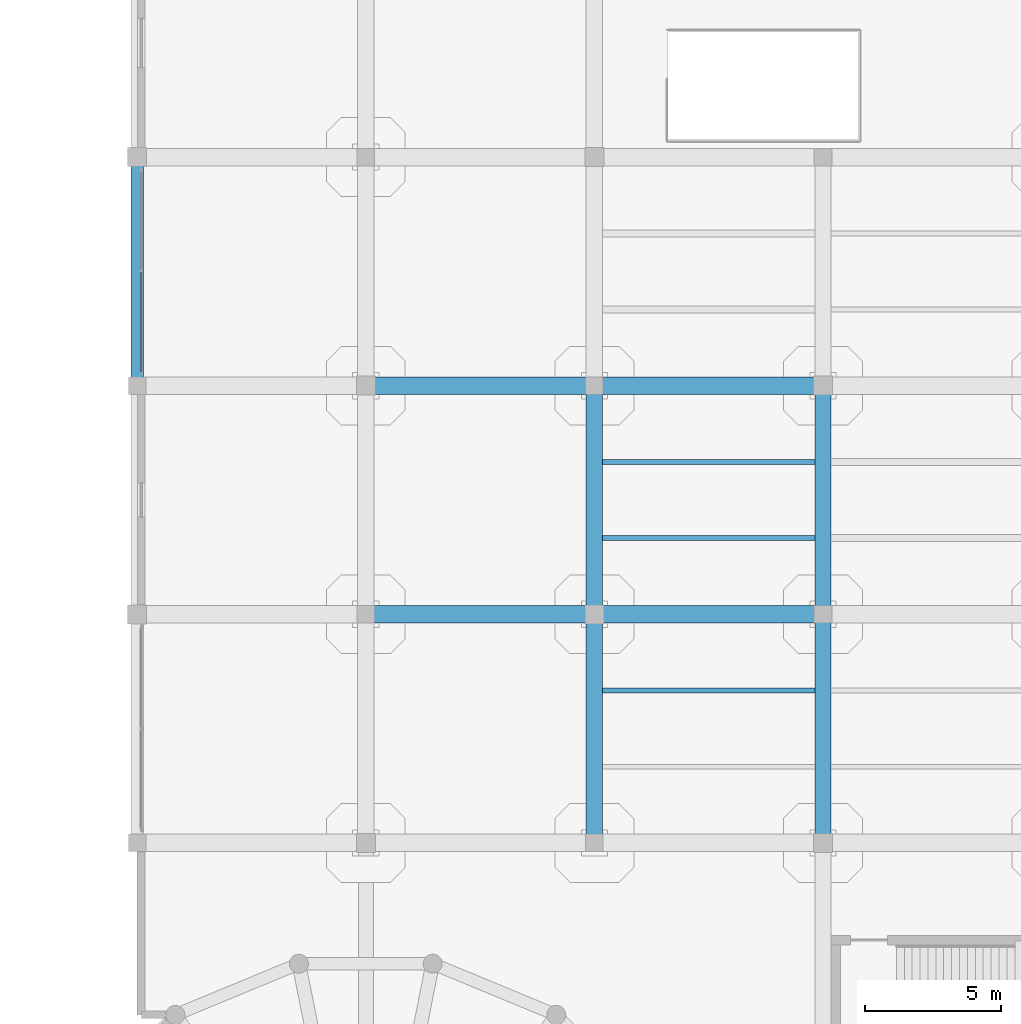
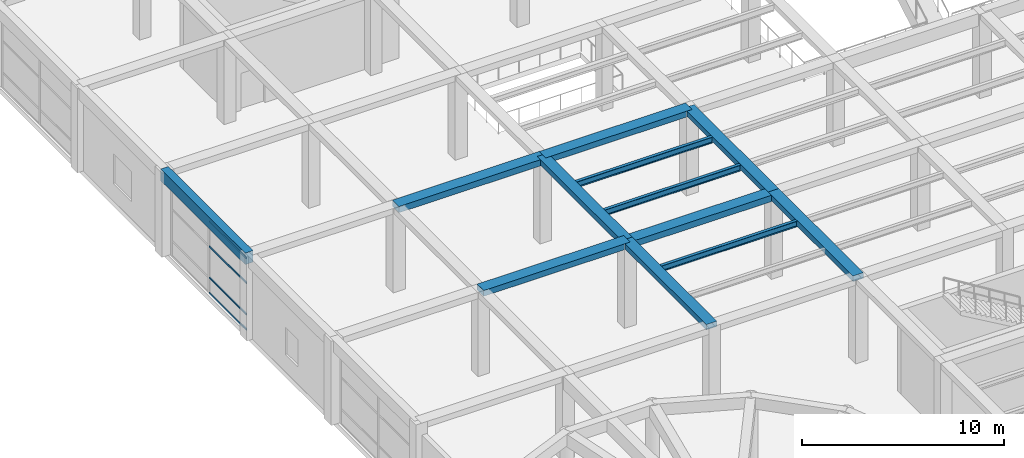
# One storey, part 7 of 65: 12 beams, 4 members, 1 element without a shape of its own.
"""IFC4 building model written with IfcOpenShell, lengths in metres."""

from ifc_helpers import new_model, si_unit, direction, frame, origin, origin_2d, place, context, subcontext, project, spatial, rectangle, hollow_rectangle, i_section, extrude, material, material_profile, profile_set, type_object, element, aggregate, save


model = new_model("IFC4")

# Units and contexts
model_context = context("Model", 3, precision=1e-05, world=origin(), true_north=direction((0.0, 1.0)))
body_context = subcontext(model_context, "Body", "Model", "MODEL_VIEW")
ifc_project = project(units=[si_unit("LENGTHUNIT", "METRE"), si_unit("AREAUNIT", "SQUARE_METRE"), si_unit("VOLUMEUNIT", "CUBIC_METRE"), si_unit("PLANEANGLEUNIT", "RADIAN"), si_unit("MASSUNIT", "GRAM", prefix="KILO")], contexts=[model_context])

# Site, building, storey
site_placement = place(None, origin())
site = spatial("IfcSite", under=ifc_project, at=site_placement, CompositionType="ELEMENT")
building_placement = place(site_placement, origin())
building = spatial("IfcBuilding", under=site, at=building_placement, Name="Almacenes y Pasaje Nevantli", CompositionType="ELEMENT")
storey_placement = place(building_placement, frame((0.0, 0.0, 16.800048828125)))
storey = spatial("IfcBuildingStorey", under=building, at=storey_placement, Name="L04", CompositionType="ELEMENT", Elevation=16.800048828125)

# Beams
ifc_material_1 = material(Name="Concrete C35/45", Category="concrete")
ifc_material_profile_1 = material_profile(ifc_material_1, rectangle(XDim=0.449951171875, YDim=0.699951171875, at=origin_2d()), Name="RC-BM-450x700")
ifc_profile_set_1 = profile_set([ifc_material_profile_1], Name="Concrete C35/45")
beam_type_1 = type_object("IfcBeamType", Name="BM-RC-450x700", PredefinedType="SPANDREL", material=ifc_profile_set_1)
beam_1_placement = place(storey_placement, frame((0.0, 42.0, 4.75), z_axis=(0.0, 1.0, 0.0), x_axis=(-1.0, 0.0, 0.0)))
element("IfcBeam", 1, at=beam_1_placement, inside=storey, type_object=beam_type_1, Name="L04 North-South Reinforced Concrete Beam #2995", PredefinedType="SPANDREL", context=body_context, shape_type="SweptSolid", body=[
    extrude(rectangle(XDim=0.449951171875, YDim=0.699951171875, at=origin_2d()), origin(), (0.0, 0.0, 1.0), 8.39990234375),
])
ifc_material_2 = material(Name="Concrete C35/45", Category="concrete")
ifc_material_profile_2 = material_profile(ifc_material_2, rectangle(XDim=0.60009765625, YDim=0.320068359375, at=origin_2d()), Name="RC-BM-600x320")
ifc_profile_set_2 = profile_set([ifc_material_profile_2], Name="Concrete C35/45")
beam_type_2 = type_object("IfcBeamType", Name="BM-RC-600x320", PredefinedType="BEAM", material=ifc_profile_set_2)
beam_2_placement = place(storey_placement, frame((16.800048828125, 25.199951171875, 4.93994140625), z_axis=(0.0, 1.0, 0.0), x_axis=(-1.0, 0.0, 0.0)))
element("IfcBeam", 2, at=beam_2_placement, inside=storey, type_object=beam_type_2, Name="L04 North-South Reinforced Concrete Beam #3015", PredefinedType="BEAM", context=body_context, shape_type="SweptSolid", body=[
    extrude(rectangle(XDim=0.60009765625, YDim=0.320068359375, at=origin_2d()), origin(), (0.0, 0.0, 1.0), 8.400146484375),
])
beam_3_placement = place(storey_placement, frame((25.199951171875, 33.60009765625, 4.93994140625), z_axis=(0.0, 1.0, 0.0), x_axis=(-1.0, 0.0, 0.0)))
element("IfcBeam", 3, at=beam_3_placement, inside=storey, type_object=beam_type_2, Name="L04 North-South Reinforced Concrete Beam #3028", PredefinedType="BEAM", context=body_context, shape_type="SweptSolid", body=[
    extrude(rectangle(XDim=0.60009765625, YDim=0.320068359375, at=origin_2d()), origin(), (0.0, 0.0, 1.0), 8.39990234375),
])
ifc_material_3 = material(Name="Concrete C35/45", Category="concrete")
ifc_material_profile_3 = material_profile(ifc_material_3, rectangle(XDim=0.60009765625, YDim=0.340087890625, at=origin_2d()), Name="RC-BM-600x340")
ifc_profile_set_3 = profile_set([ifc_material_profile_3], Name="Concrete C35/45")
beam_type_3 = type_object("IfcBeamType", Name="BM-RC-600x340", PredefinedType="BEAM", material=ifc_profile_set_3)
beam_4_placement = place(storey_placement, frame((16.800048828125, 33.60009765625, 4.929931640625), z_axis=(0.0, 1.0, 0.0), x_axis=(-1.0, 0.0, 0.0)))
element("IfcBeam", 4, at=beam_4_placement, inside=storey, type_object=beam_type_3, Name="L04 North-South Reinforced Concrete Beam #3016", PredefinedType="BEAM", context=body_context, shape_type="SweptSolid", body=[
    extrude(rectangle(XDim=0.60009765625, YDim=0.340087890625, at=origin_2d()), origin(), (0.0, 0.0, 1.0), 8.39990234375),
])
beam_5_placement = place(storey_placement, frame((25.199951171875, 25.199951171875, 4.929931640625), z_axis=(0.0, 1.0, 0.0), x_axis=(-1.0, 0.0, 0.0)))
element("IfcBeam", 5, at=beam_5_placement, inside=storey, type_object=beam_type_3, Name="L04 North-South Reinforced Concrete Beam #3027", PredefinedType="BEAM", context=body_context, shape_type="SweptSolid", body=[
    extrude(rectangle(XDim=0.60009765625, YDim=0.340087890625, at=origin_2d()), origin(), (0.0, 0.0, 1.0), 8.400146484375),
])
ifc_material_4 = material(Name="Concrete C35/45", Category="concrete")
ifc_material_profile_4 = material_profile(ifc_material_4, rectangle(XDim=0.64990234375, YDim=0.35009765625, at=origin_2d()), Name="RC-BM-650x350")
ifc_profile_set_4 = profile_set([ifc_material_profile_4], Name="Concrete C35/45")
beam_type_4 = type_object("IfcBeamType", Name="BM-RC-650x350", PredefinedType="BEAM", material=ifc_profile_set_4)
beam_6_placement = place(storey_placement, frame((8.39990234375, 33.60009765625, 4.925048828125), z_axis=(1.0, 0.0, 0.0), x_axis=(0.0, 1.0, 0.0)))
element("IfcBeam", 6, at=beam_6_placement, inside=storey, type_object=beam_type_4, Name="L04 East-West Reinforced Concrete Beam #2813", PredefinedType="BEAM", context=body_context, shape_type="SweptSolid", body=[
    extrude(rectangle(XDim=0.64990234375, YDim=0.35009765625, at=origin_2d()), origin(), (0.0, 0.0, 1.0), 8.400146484375),
])
beam_7_placement = place(storey_placement, frame((16.800048828125, 42.0, 4.925048828125), z_axis=(1.0, 0.0, 0.0), x_axis=(0.0, 1.0, 0.0)))
element("IfcBeam", 7, at=beam_7_placement, inside=storey, type_object=beam_type_4, Name="L04 East-West Reinforced Concrete Beam #2831", PredefinedType="BEAM", context=body_context, shape_type="SweptSolid", body=[
    extrude(rectangle(XDim=0.64990234375, YDim=0.35009765625, at=origin_2d()), origin(), (0.0, 0.0, 1.0), 8.39990234375),
])
ifc_material_5 = material(Name="Concrete C35/45", Category="concrete")
ifc_material_profile_5 = material_profile(ifc_material_5, rectangle(XDim=0.64990234375, YDim=0.3798828125, at=origin_2d()), Name="RC-BM-650x380")
ifc_profile_set_5 = profile_set([ifc_material_profile_5], Name="Concrete C35/45")
beam_type_5 = type_object("IfcBeamType", Name="BM-RC-650x380", PredefinedType="BEAM", material=ifc_profile_set_5)
beam_8_placement = place(storey_placement, frame((16.800048828125, 33.60009765625, 4.909912109375), z_axis=(1.0, 0.0, 0.0), x_axis=(0.0, 1.0, 0.0)))
element("IfcBeam", 8, at=beam_8_placement, inside=storey, type_object=beam_type_5, Name="L04 East-West Reinforced Concrete Beam #2814", PredefinedType="BEAM", context=body_context, shape_type="SweptSolid", body=[
    extrude(rectangle(XDim=0.64990234375, YDim=0.3798828125, at=origin_2d()), origin(), (0.0, 0.0, 1.0), 8.39990234375),
])
beam_9_placement = place(storey_placement, frame((8.39990234375, 42.0, 4.909912109375), z_axis=(1.0, 0.0, 0.0), x_axis=(0.0, 1.0, 0.0)))
element("IfcBeam", 9, at=beam_9_placement, inside=storey, type_object=beam_type_5, Name="L04 East-West Reinforced Concrete Beam #2830", PredefinedType="BEAM", context=body_context, shape_type="SweptSolid", body=[
    extrude(rectangle(XDim=0.64990234375, YDim=0.3798828125, at=origin_2d()), origin(), (0.0, 0.0, 1.0), 8.400146484375),
])
ifc_material_6 = material(Name="Steel ASTM A992", Category="steel")
ifc_material_profile_6 = material_profile(ifc_material_6, i_section(OverallWidth=0.173095703125, OverallDepth=0.35302734375, WebThickness=0.0078125, FlangeThickness=0.01318359375, at=origin_2d()), Name="IR 356x56.6")
ifc_profile_set_6 = profile_set([ifc_material_profile_6], Name="Steel ASTM A992")
beam_type_6 = type_object("IfcBeamType", Name="BM-STL-IR-356x56p6", PredefinedType="JOIST", material=ifc_profile_set_6)
beam_10_placement = place(storey_placement, frame((17.10009765625, 30.800048828125, 4.91552734375), z_axis=(1.0, 0.0, 0.0), x_axis=(0.0, 1.0, 0.0)))
element("IfcBeam", 10, at=beam_10_placement, inside=storey, type_object=beam_type_6, Name="L04 Secondary Steel Floor Joist #1020", PredefinedType="JOIST", context=body_context, shape_type="SweptSolid", body=[
    extrude(i_section(OverallWidth=0.173095703125, OverallDepth=0.35302734375, WebThickness=0.0078125, FlangeThickness=0.01318359375, at=origin_2d()), origin(), (0.0, 0.0, 1.0), 7.7998046875),
])
ifc_material_7 = material(Name="Steel ASTM A992", Category="steel")
ifc_material_profile_7 = material_profile(ifc_material_7, i_section(OverallWidth=0.173095703125, OverallDepth=0.364013671875, WebThickness=0.009033203125, FlangeThickness=0.015625, at=origin_2d()), Name="IR 356x67.0")
ifc_profile_set_7 = profile_set([ifc_material_profile_7], Name="Steel ASTM A992")
beam_type_7 = type_object("IfcBeamType", Name="BM-STL-IR-356x67p0", PredefinedType="JOIST", material=ifc_profile_set_7)
for number, where, z_axis, x_axis, name in (
    (11, (17.10009765625, 36.39990234375, 4.909912109375), (1.0, 0.0, 0.0), (0.0, 1.0, 0.0), "L04 Secondary Steel Floor Joist #1021"),
    (12, (17.10009765625, 39.199951171875, 4.909912109375), (1.0, 0.0, 0.0), (0.0, 1.0, 0.0), "L04 Secondary Steel Floor Joist #1022"),
):
    element("IfcBeam", number, at=place(storey_placement, frame(where, z_axis=z_axis, x_axis=x_axis)), inside=storey, type_object=beam_type_7, Name=name, PredefinedType="JOIST", context=body_context, shape_type="SweptSolid", body=[
        extrude(i_section(OverallWidth=0.173095703125, OverallDepth=0.364013671875, WebThickness=0.009033203125, FlangeThickness=0.015625, at=origin_2d()), origin(), (0.0, 0.0, 1.0), 7.7998046875),
    ])

# Curtain wall, members
ifc_material_8 = material(Name="Thermally Broken Aluminium and Low-E Glass", Category="aluminium")
curtain_wall_type = type_object("IfcCurtainWallType", Name="CW-UNIT-PODIUM", PredefinedType="USERDEFINED", material=ifc_material_8)
curtain_wall_placement = place(storey_placement, origin())
curtain_wall = element("IfcCurtainWall", 13, at=curtain_wall_placement, inside=storey, type_object=curtain_wall_type, Name="L04 West Avenue Unitized Curtain Wall Bay 6", ObjectType="UNITIZED CURTAIN WALL", PredefinedType="USERDEFINED")
ifc_material_9 = material(Name="Thermally Broken Anodized Aluminium", Category="aluminium")
ifc_material_profile_8 = material_profile(ifc_material_9, hollow_rectangle(XDim=0.054931640625, YDim=0.10498046875, WallThickness=0.003173828125, at=origin_2d()), Name="ALU-TRN-55x105")
ifc_profile_set_8 = profile_set([ifc_material_profile_8], Name="Thermally Broken Anodized Aluminium")
member_type = type_object("IfcMemberType", Name="CW-TRN-120", PredefinedType="USERDEFINED", material=ifc_profile_set_8)
member_1_placement = place(storey_placement, frame((0.14990234375, 42.5048828125, 0.02734375), z_axis=(0.0, 1.0, 0.0), x_axis=(-1.0, 0.0, 0.0)))
member_1 = element("IfcMember", 14, at=member_1_placement, type_object=member_type, Name="CW-L04-074 transom 1.1", ObjectType="TRANSOM", PredefinedType="USERDEFINED", context=body_context, shape_type="SweptSolid", body=[
    extrude(hollow_rectangle(XDim=0.054931640625, YDim=0.10498046875, WallThickness=0.003173828125, at=origin_2d()), origin(), (0.0, 0.0, 1.0), 3.667724609375),
])
member_2_placement = place(storey_placement, frame((0.14990234375, 42.5048828125, 0.949951171875), z_axis=(0.0, 1.0, 0.0), x_axis=(-1.0, 0.0, 0.0)))
member_2 = element("IfcMember", 15, at=member_2_placement, type_object=member_type, Name="CW-L04-074 transom 1.2", ObjectType="TRANSOM", PredefinedType="USERDEFINED", context=body_context, shape_type="SweptSolid", body=[
    extrude(hollow_rectangle(XDim=0.054931640625, YDim=0.10498046875, WallThickness=0.003173828125, at=origin_2d()), origin(), (0.0, 0.0, 1.0), 3.667724609375),
])
member_3_placement = place(storey_placement, frame((0.14990234375, 42.5048828125, 2.849853515625), z_axis=(0.0, 1.0, 0.0), x_axis=(-1.0, 0.0, 0.0)))
member_3 = element("IfcMember", 16, at=member_3_placement, type_object=member_type, Name="CW-L04-074 transom 1.3", ObjectType="TRANSOM", PredefinedType="USERDEFINED", context=body_context, shape_type="SweptSolid", body=[
    extrude(hollow_rectangle(XDim=0.054931640625, YDim=0.10498046875, WallThickness=0.003173828125, at=origin_2d()), origin(), (0.0, 0.0, 1.0), 3.667724609375),
])
member_4_placement = place(storey_placement, frame((0.14990234375, 42.5048828125, 4.3525390625), z_axis=(0.0, 1.0, 0.0), x_axis=(-1.0, 0.0, 0.0)))
member_4 = element("IfcMember", 17, at=member_4_placement, type_object=member_type, Name="CW-L04-074 transom 1.4", ObjectType="TRANSOM", PredefinedType="USERDEFINED", context=body_context, shape_type="SweptSolid", body=[
    extrude(hollow_rectangle(XDim=0.054931640625, YDim=0.10498046875, WallThickness=0.003173828125, at=origin_2d()), origin(), (0.0, 0.0, 1.0), 3.667724609375),
])
aggregate(curtain_wall, [member_1, member_2, member_3, member_4])

save(model, "model.ifc")
